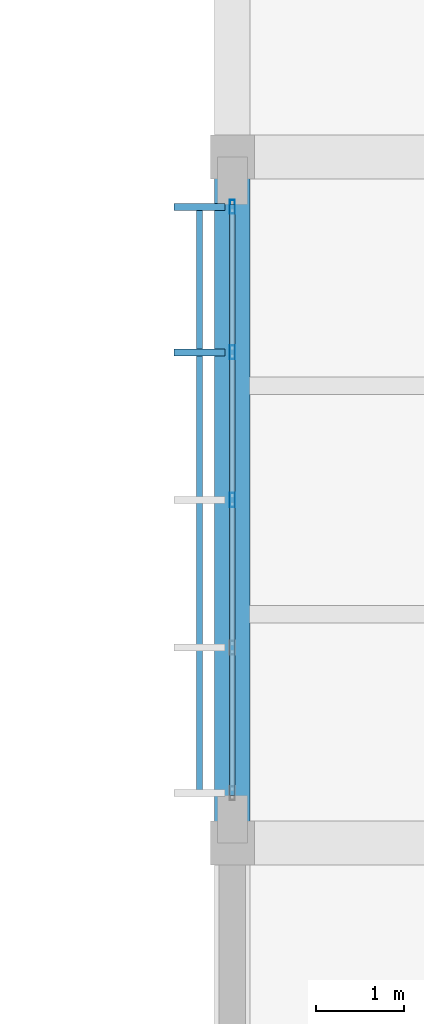
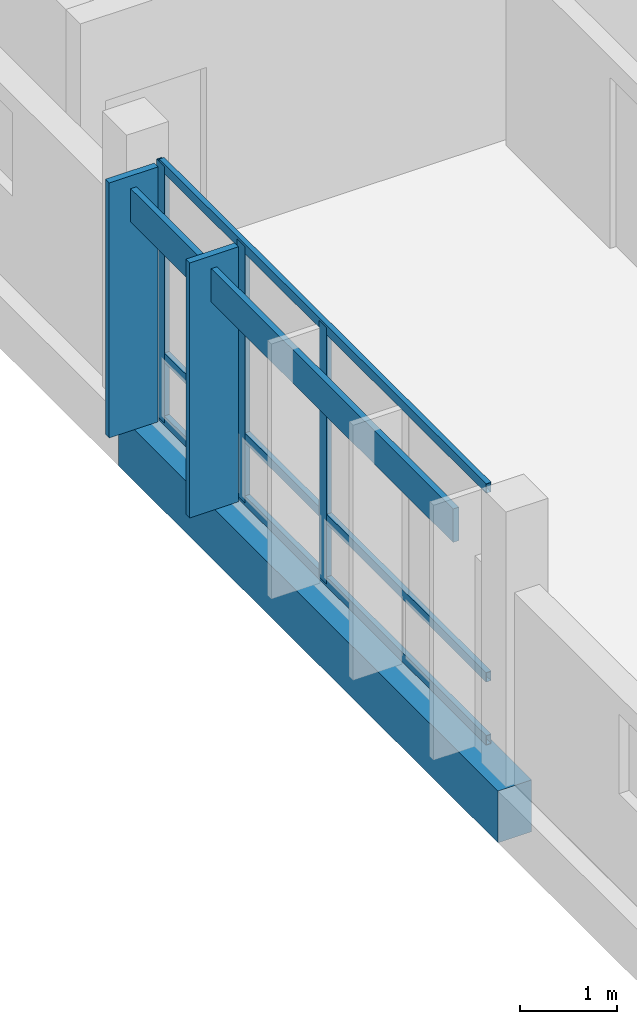
# One storey, part 12 of 24: 9 members, 1 beam, 1 element without a shape of its own.
"""IFC4 building model written with IfcOpenShell, lengths in metres."""

from ifc_helpers import new_model, si_unit, direction, frame, origin, origin_2d, place, context, subcontext, project, spatial, rectangle, hollow_rectangle, extrude, material, material_profile, profile_set, type_object, element, aggregate, save


model = new_model("IFC4")

# Units and contexts
model_context = context("Model", 3, precision=1e-05, world=origin(), true_north=direction((0.0, 1.0)))
body_context = subcontext(model_context, "Body", "Model", "MODEL_VIEW")
ifc_project = project(units=[si_unit("LENGTHUNIT", "METRE"), si_unit("AREAUNIT", "SQUARE_METRE"), si_unit("VOLUMEUNIT", "CUBIC_METRE"), si_unit("PLANEANGLEUNIT", "RADIAN"), si_unit("MASSUNIT", "GRAM", prefix="KILO")], contexts=[model_context])

# Site, building, storey
site_placement = place(None, origin())
site = spatial("IfcSite", under=ifc_project, at=site_placement, CompositionType="ELEMENT")
building_placement = place(site_placement, origin())
building = spatial("IfcBuilding", under=site, at=building_placement, Name="Chiffa Square Polytechnic", CompositionType="ELEMENT")
storey_placement = place(building_placement, frame((0.0, 0.0, 26.39990234375)))
storey = spatial("IfcBuildingStorey", under=building, at=storey_placement, Name="L06", CompositionType="ELEMENT", Elevation=26.39990234375)

# Beam
ifc_material_1 = material(Name="Concrete C35/45", Category="concrete")
ifc_material_profile_1 = material_profile(ifc_material_1, rectangle(XDim=0.39990234375, YDim=0.64990234375, at=origin_2d()), Name="RC 400x650")
ifc_profile_set_1 = profile_set([ifc_material_profile_1], Name="Concrete C35/45")
beam_type = type_object("IfcBeamType", Name="BM-RC-400X650", PredefinedType="BEAM", material=ifc_profile_set_1)
beam_placement = place(storey_placement, frame((148.199951171875, 36.0, -0.544921875), z_axis=(0.0, 1.0, 0.0), x_axis=(-1.0, 0.0, 0.0)))
element("IfcBeam", 1, at=beam_placement, inside=storey, type_object=beam_type, Name="Primary floor girder BM-V1-L06-Y-1482-0360", PredefinedType="BEAM", context=body_context, shape_type="SweptSolid", body=[
    extrude(rectangle(XDim=0.39990234375, YDim=0.64990234375, at=origin_2d()), origin(), (0.0, 0.0, 1.0), 7.800048828125),
])

# Curtain wall, members
ifc_material_2 = material(Name="Aluminium EN AW-6060 T66 and glulam shading", Category="wood")
curtain_wall_type = type_object("IfcCurtainWallType", Name="CW-VERT-450X440", PredefinedType="USERDEFINED", material=ifc_material_2)
curtain_wall_placement = place(storey_placement, origin())
curtain_wall = element("IfcCurtainWall", 2, at=curtain_wall_placement, inside=storey, type_object=curtain_wall_type, Name="Curtain wall CW-V1-L06-144", ObjectType="CURTAIN WALL", PredefinedType="USERDEFINED")
ifc_material_3 = material(Name="Aluminium EN AW-6060 T66", Category="aluminium")
ifc_material_profile_2 = material_profile(ifc_material_3, hollow_rectangle(XDim=0.06005859375, YDim=0.159912109375, WallThickness=0.00390625, at=origin_2d()), Name="ALU 60x160x4")
ifc_profile_set_2 = profile_set([ifc_material_profile_2], Name="Aluminium EN AW-6060 T66")
member_type_1 = type_object("IfcMemberType", Name="CWM-ALU-65X150", PredefinedType="MULLION", material=ifc_profile_set_2)
member_1_placement = place(storey_placement, frame((148.199951171875, 43.235107421875, 0.0), z_axis=(0.0, 0.0, 1.0), x_axis=(1.0, 0.0, 0.0)))
member_1 = element("IfcMember", 3, at=member_1_placement, type_object=member_type_1, Name="Curtain wall mullion CW-V1-L06-144-M00", PredefinedType="MULLION", context=body_context, shape_type="SweptSolid", body=[
    extrude(hollow_rectangle(XDim=0.06005859375, YDim=0.159912109375, WallThickness=0.00390625, at=origin_2d()), origin(), (0.0, 0.0, 1.0), 3.22021484375),
])
member_2_placement = place(storey_placement, frame((148.199951171875, 41.580078125, 0.0), z_axis=(0.0, 0.0, 1.0), x_axis=(1.0, 0.0, 0.0)))
member_2 = element("IfcMember", 4, at=member_2_placement, type_object=member_type_1, Name="Curtain wall mullion CW-V1-L06-144-M01", PredefinedType="MULLION", context=body_context, shape_type="SweptSolid", body=[
    extrude(hollow_rectangle(XDim=0.06005859375, YDim=0.159912109375, WallThickness=0.00390625, at=origin_2d()), origin(), (0.0, 0.0, 1.0), 3.22021484375),
])
member_3_placement = place(storey_placement, frame((148.199951171875, 39.89990234375, 0.0), z_axis=(0.0, 0.0, 1.0), x_axis=(1.0, 0.0, 0.0)))
member_3 = element("IfcMember", 5, at=member_3_placement, type_object=member_type_1, Name="Curtain wall mullion CW-V1-L06-144-M02", PredefinedType="MULLION", context=body_context, shape_type="SweptSolid", body=[
    extrude(hollow_rectangle(XDim=0.06005859375, YDim=0.159912109375, WallThickness=0.00390625, at=origin_2d()), origin(), (0.0, 0.0, 1.0), 3.22021484375),
])
ifc_material_4 = material(Name="Glulam GL28h", Category="wood")
ifc_material_profile_3 = material_profile(ifc_material_4, rectangle(XDim=0.080078125, YDim=0.580078125, at=origin_2d()), Name="GL28h 80x580")
ifc_profile_set_3 = profile_set([ifc_material_profile_3], Name="Glulam GL28h")
member_type_2 = type_object("IfcMemberType", Name="CWM-GL-80X580", PredefinedType="MULLION", material=ifc_profile_set_3)
member_4_placement = place(storey_placement, frame((147.827880859375, 43.235107421875, 0.010009765625), z_axis=(0.0, 0.0, 1.0), x_axis=(0.0, -1.0, 0.0)))
member_4 = element("IfcMember", 6, at=member_4_placement, type_object=member_type_2, Name="Exterior glulam solar fin CW-V1-L06-144-FN00", PredefinedType="MULLION", context=body_context, shape_type="SweptSolid", body=[
    extrude(rectangle(XDim=0.080078125, YDim=0.580078125, at=origin_2d()), origin(), (0.0, 0.0, 1.0), 3.2001953125),
])
member_5_placement = place(storey_placement, frame((147.827880859375, 41.580078125, 0.010009765625), z_axis=(0.0, 0.0, 1.0), x_axis=(0.0, -1.0, 0.0)))
member_5 = element("IfcMember", 7, at=member_5_placement, type_object=member_type_2, Name="Exterior glulam solar fin CW-V1-L06-144-FN01", PredefinedType="MULLION", context=body_context, shape_type="SweptSolid", body=[
    extrude(rectangle(XDim=0.080078125, YDim=0.580078125, at=origin_2d()), origin(), (0.0, 0.0, 1.0), 3.2001953125),
])
ifc_material_profile_4 = material_profile(ifc_material_3, hollow_rectangle(XDim=0.06005859375, YDim=0.1201171875, WallThickness=0.00390625, at=origin_2d()), Name="ALU 60x120x4")
ifc_profile_set_4 = profile_set([ifc_material_profile_4], Name="Aluminium EN AW-6060 T66")
member_type_3 = type_object("IfcMemberType", Name="CWT-ALU-65X120", PredefinedType="USERDEFINED", material=ifc_profile_set_4)
member_6_placement = place(storey_placement, frame((148.199951171875, 43.261962890625, 0.030029296875), z_axis=(0.0, -1.0, 0.0), x_axis=(1.0, 0.0, 0.0)))
member_6 = element("IfcMember", 8, at=member_6_placement, type_object=member_type_3, Name="Curtain wall transom CW-V1-L06-144-T01", ObjectType="TRANSOM", PredefinedType="USERDEFINED", context=body_context, shape_type="SweptSolid", body=[
    extrude(hollow_rectangle(XDim=0.06005859375, YDim=0.1201171875, WallThickness=0.00390625, at=origin_2d()), origin(), (0.0, 0.0, 1.0), 6.723876953125),
])
member_7_placement = place(storey_placement, frame((148.199951171875, 43.261962890625, 0.820068359375), z_axis=(0.0, -1.0, 0.0), x_axis=(1.0, 0.0, 0.0)))
member_7 = element("IfcMember", 9, at=member_7_placement, type_object=member_type_3, Name="Curtain wall transom CW-V1-L06-144-T02", ObjectType="TRANSOM", PredefinedType="USERDEFINED", context=body_context, shape_type="SweptSolid", body=[
    extrude(hollow_rectangle(XDim=0.06005859375, YDim=0.1201171875, WallThickness=0.00390625, at=origin_2d()), origin(), (0.0, 0.0, 1.0), 6.723876953125),
])
member_8_placement = place(storey_placement, frame((148.199951171875, 43.261962890625, 3.190185546875), z_axis=(0.0, -1.0, 0.0), x_axis=(1.0, 0.0, 0.0)))
member_8 = element("IfcMember", 10, at=member_8_placement, type_object=member_type_3, Name="Curtain wall transom CW-V1-L06-144-T03", ObjectType="TRANSOM", PredefinedType="USERDEFINED", context=body_context, shape_type="SweptSolid", body=[
    extrude(hollow_rectangle(XDim=0.06005859375, YDim=0.1201171875, WallThickness=0.00390625, at=origin_2d()), origin(), (0.0, 0.0, 1.0), 6.723876953125),
])
ifc_material_profile_5 = material_profile(ifc_material_4, rectangle(XDim=0.070068359375, YDim=0.419921875, at=origin_2d()), Name="GL28h 70x420")
ifc_profile_set_5 = profile_set([ifc_material_profile_5], Name="Glulam GL28h")
member_type_4 = type_object("IfcMemberType", Name="CWT-GL-70X420", PredefinedType="USERDEFINED", material=ifc_profile_set_5)
member_9_placement = place(storey_placement, frame((147.827880859375, 43.235107421875, 2.840087890625), z_axis=(0.0, -1.0, 0.0), x_axis=(1.0, 0.0, 0.0)))
member_9 = element("IfcMember", 11, at=member_9_placement, type_object=member_type_4, Name="Exterior glulam brise-soleil CW-V1-L06-144-BS01", ObjectType="TRANSOM", PredefinedType="USERDEFINED", context=body_context, shape_type="SweptSolid", body=[
    extrude(rectangle(XDim=0.070068359375, YDim=0.419921875, at=origin_2d()), origin(), (0.0, 0.0, 1.0), 6.670166015625),
])
aggregate(curtain_wall, [member_1, member_4, member_2, member_5, member_3, member_6, member_7, member_8, member_9])

save(model, "model.ifc")
